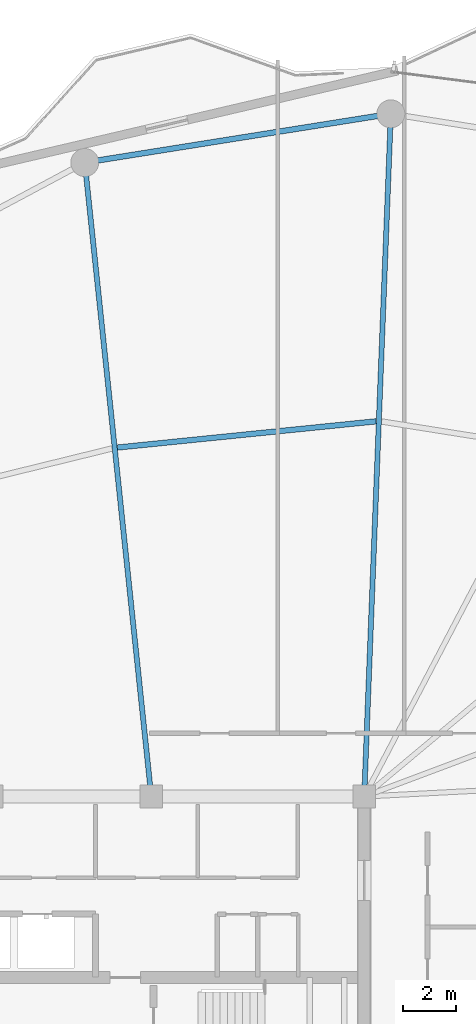
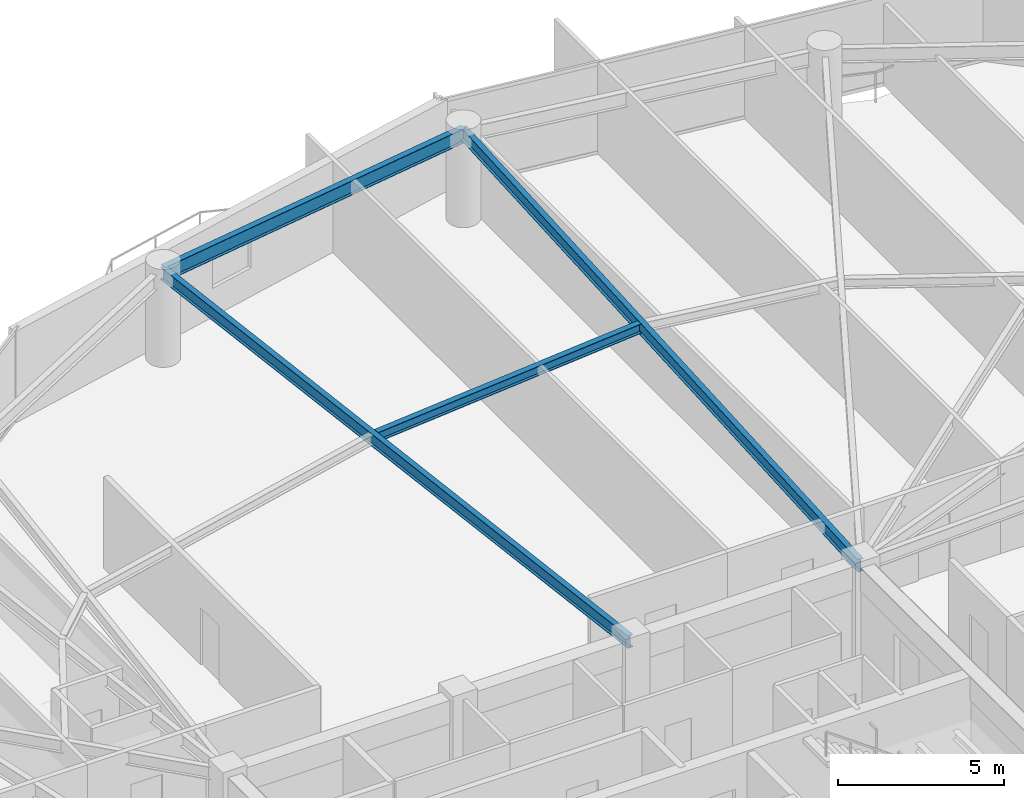
# One storey, part 19 of 31: 4 beams.
"""IFC4 building model written with IfcOpenShell, lengths in metres."""

from ifc_helpers import new_model, si_unit, direction, frame, origin, origin_2d, place, context, subcontext, project, spatial, i_section, extrude, material, material_profile, profile_set, type_object, element, save


model = new_model("IFC4")

# Units and contexts
model_context = context("Model", 3, precision=1e-05, world=origin(), true_north=direction((0.0, 1.0)))
body_context = subcontext(model_context, "Body", "Model", "MODEL_VIEW")
ifc_project = project(units=[si_unit("LENGTHUNIT", "METRE"), si_unit("AREAUNIT", "SQUARE_METRE"), si_unit("VOLUMEUNIT", "CUBIC_METRE"), si_unit("PLANEANGLEUNIT", "RADIAN"), si_unit("MASSUNIT", "GRAM", prefix="KILO")], contexts=[model_context])

# Site, building, storey
site_placement = place(None, origin())
site = spatial("IfcSite", under=ifc_project, at=site_placement, CompositionType="ELEMENT")
building_placement = place(site_placement, origin())
building = spatial("IfcBuilding", under=site, at=building_placement, Name="Kazevale Care Tower and Concert Hall", CompositionType="ELEMENT")
storey_placement = place(building_placement, frame((0.0, 0.0, 210.0)))
storey = spatial("IfcBuildingStorey", under=building, at=storey_placement, Name="L55", CompositionType="ELEMENT", Elevation=210.0)

# Beams
ifc_material = material(Name="Steel ASTM A572 Gr 50", Category="steel")
ifc_material_profile_1 = material_profile(ifc_material, i_section(OverallWidth=0.19091796875, OverallDepth=0.4599609375, WebThickness=0.010009765625, FlangeThickness=0.01611328125, at=origin_2d()), Name="W460x82")
ifc_profile_set_1 = profile_set([ifc_material_profile_1], Name="Steel ASTM A572 Gr 50")
beam_type_1 = type_object("IfcBeamType", Name="Radial Floor Beam W460x82", PredefinedType="BEAM", material=ifc_profile_set_1)
beam_1_placement = place(storey_placement, frame((44.0, 36.39990234375, 3.1298828125), z_axis=(0.03895653799, 0.999240905962, 0.0), x_axis=(-0.999240905962, 0.03895653799, 0.0)))
element("IfcBeam", 1, at=beam_1_placement, inside=storey, type_object=beam_type_1, Name="beam:L55:rad:05", PredefinedType="BEAM", context=body_context, shape_type="SweptSolid", body=[
    extrude(i_section(OverallWidth=0.19091796875, OverallDepth=0.4599609375, WebThickness=0.010009765625, FlangeThickness=0.01611328125, at=origin_2d()), origin(), (0.0, 0.0, 1.0), 25.669677734375),
])
beam_2_placement = place(storey_placement, frame((36.0, 36.39990234375, 3.1298828125), z_axis=(-0.104380207012, 0.994537466556, 0.0), x_axis=(-0.994537466556, -0.104380207012, 0.0)))
element("IfcBeam", 2, at=beam_2_placement, inside=storey, type_object=beam_type_1, Name="beam:L55:rad:06", PredefinedType="BEAM", context=body_context, shape_type="SweptSolid", body=[
    extrude(i_section(OverallWidth=0.19091796875, OverallDepth=0.4599609375, WebThickness=0.010009765625, FlangeThickness=0.01611328125, at=origin_2d()), origin(), (0.0, 0.0, 1.0), 23.950927734375),
])
ifc_material_profile_2 = material_profile(ifc_material, i_section(OverallWidth=0.205078125, OverallDepth=0.35400390625, WebThickness=0.009521484375, FlangeThickness=0.016845703125, at=origin_2d()), Name="W360x79")
ifc_profile_set_2 = profile_set([ifc_material_profile_2], Name="Steel ASTM A572 Gr 50")
beam_type_2 = type_object("IfcBeamType", Name="Secondary Floor Joist W360x79", PredefinedType="JOIST", material=ifc_profile_set_2)
beam_3_placement = place(storey_placement, frame((44.446044921875, 50.4970703125, 3.18310546875), z_axis=(-0.994900388447, -0.10086236696, 0.0), x_axis=(0.10086236696, -0.994900388447, 0.0)))
element("IfcBeam", 3, at=beam_3_placement, inside=storey, type_object=beam_type_2, Name="beam:L55:joist:05", PredefinedType="JOIST", context=body_context, shape_type="SweptSolid", body=[
    extrude(i_section(OverallWidth=0.205078125, OverallDepth=0.35400390625, WebThickness=0.009521484375, FlangeThickness=0.016845703125, at=origin_2d()), origin(), (0.0, 0.0, 1.0), 9.766845703125),
])
ifc_material_profile_3 = material_profile(ifc_material, i_section(OverallWidth=0.208984375, OverallDepth=0.532958984375, WebThickness=0.01025390625, FlangeThickness=0.015625, at=origin_2d()), Name="W530x92")
ifc_profile_set_3 = profile_set([ifc_material_profile_3], Name="Steel ASTM A572 Gr 50")
beam_type_3 = type_object("IfcBeamType", Name="Upper Ring Beam W530x92", PredefinedType="BEAM", material=ifc_profile_set_3)
beam_4_placement = place(storey_placement, frame((45.0, 62.050048828125, 3.093505859375), z_axis=(-0.987573207584, -0.15715966296, 0.0), x_axis=(0.15715966296, -0.987573207584, 0.0)))
element("IfcBeam", 4, at=beam_4_placement, inside=storey, type_object=beam_type_3, Name="beam:L55:ring:05", PredefinedType="BEAM", context=body_context, shape_type="SweptSolid", body=[
    extrude(i_section(OverallWidth=0.208984375, OverallDepth=0.532958984375, WebThickness=0.01025390625, FlangeThickness=0.015625, at=origin_2d()), origin(), (0.0, 0.0, 1.0), 11.644775390625),
])

save(model, "model.ifc")
